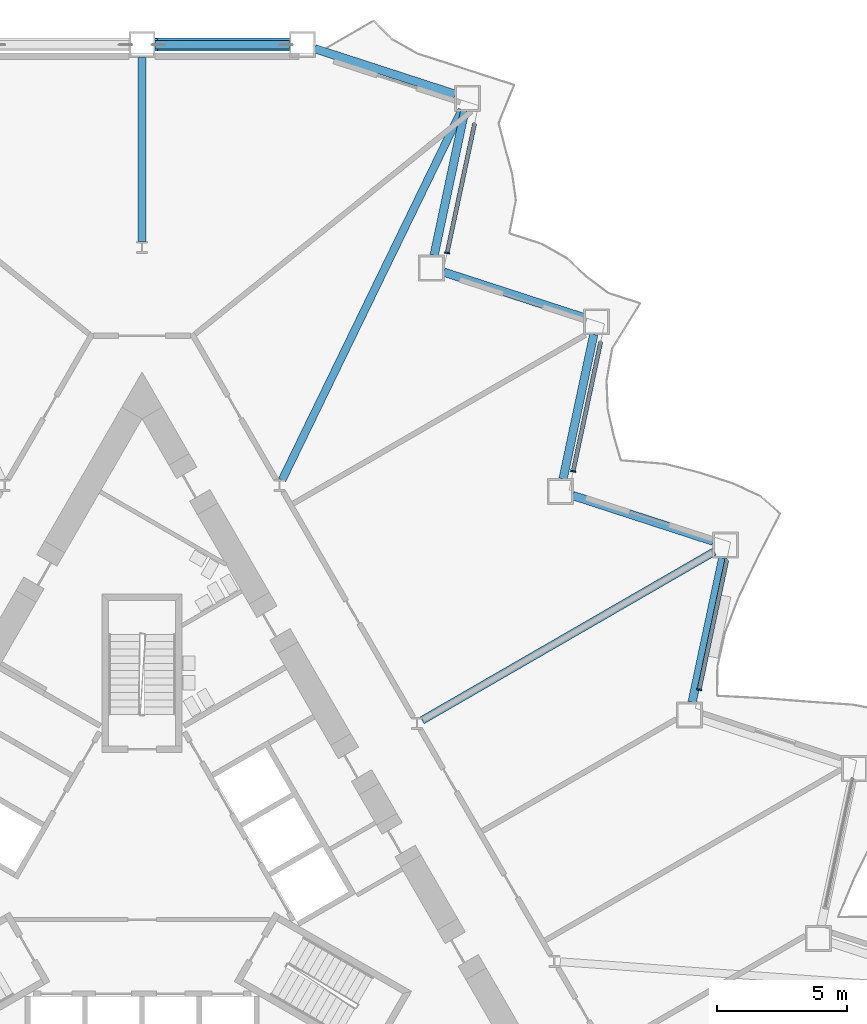
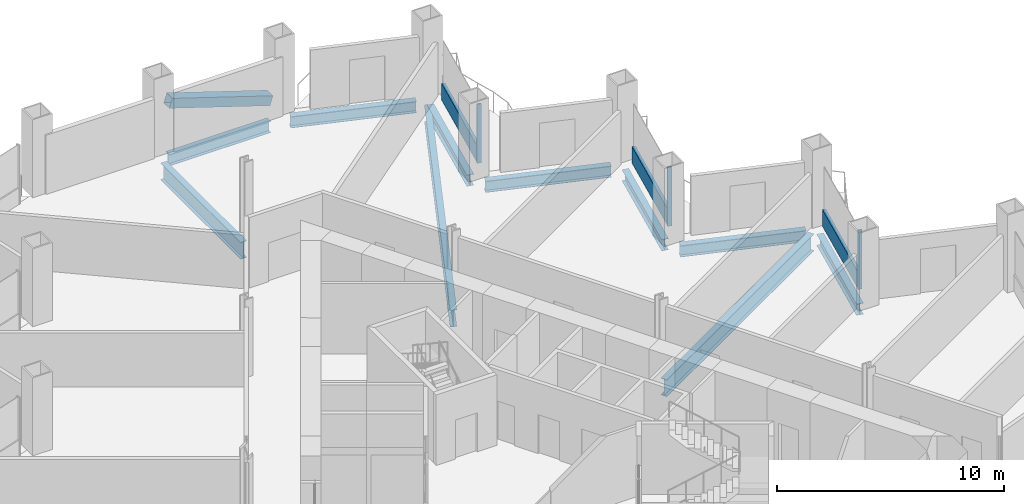
# One storey, part 7 of 21: 10 beams, 7 members, 3 elements without a shape of their own.
"""IFC4 building model written with IfcOpenShell, lengths in metres."""

from ifc_helpers import new_model, si_unit, direction, frame, origin, origin_2d, place, context, subcontext, project, spatial, rectangle, hollow_rectangle, i_section, extrude, material, layer, layer_set, material_profile, profile_set, type_object, element, aggregate, save


model = new_model("IFC4")

# Units and contexts
model_context = context("Model", 3, precision=1e-05, world=origin(), true_north=direction((0.0, 1.0)))
body_context = subcontext(model_context, "Body", "Model", "MODEL_VIEW")
ifc_project = project(units=[si_unit("LENGTHUNIT", "METRE"), si_unit("AREAUNIT", "SQUARE_METRE"), si_unit("VOLUMEUNIT", "CUBIC_METRE"), si_unit("PLANEANGLEUNIT", "RADIAN"), si_unit("MASSUNIT", "GRAM", prefix="KILO")], contexts=[model_context])

# Site, building, storey
site_placement = place(None, origin())
site = spatial("IfcSite", under=ifc_project, at=site_placement, CompositionType="ELEMENT")
building_placement = place(site_placement, origin())
building = spatial("IfcBuilding", under=site, at=building_placement, Name="Cormorant Prow Tower", CompositionType="ELEMENT")
storey_placement = place(building_placement, frame((0.0, 0.0, 51.0)))
storey = spatial("IfcBuildingStorey", under=building, at=storey_placement, Name="L10", CompositionType="ELEMENT", Elevation=51.0)

# Member
ifc_material_1 = material(Name="Structural steel ASTM A500 Gr C", Category="steel")
ifc_material_profile_1 = material_profile(ifc_material_1, hollow_rectangle(XDim=0.508056640625, YDim=0.508056640625, WallThickness=0.014892578125, at=origin_2d()), Name="HSS20x20x5/8")
ifc_profile_set_1 = profile_set([ifc_material_profile_1], Name="Structural steel ASTM A500 Gr C")
member_type_1 = type_object("IfcMemberType", Name="Chamfer brace HSS20x20x5/8", PredefinedType="BRACE", material=ifc_profile_set_1)
member_1_placement = place(storey_placement, frame((5.65087890625, 32.233642578125, 0.767333984375), z_axis=(-0.951774314198, 0.0, 0.306799046335), x_axis=(0.0, -1.0, 0.0)))
element("IfcMember", 1, at=member_1_placement, inside=storey, type_object=member_type_1, Name="Chamfer brace BR1 at N00 L10", PredefinedType="BRACE", context=body_context, shape_type="SweptSolid", body=[
    extrude(hollow_rectangle(XDim=0.508056640625, YDim=0.508056640625, WallThickness=0.014892578125, at=origin_2d()), origin(), (0.0, 0.0, 1.0), 5.39208984375),
])

# Curtain wall, member
ifc_material_2 = material(Name="Aluminium 6063-T6", Category="aluminium")
ifc_layer = layer(ifc_material_2, 0.199951171875)
ifc_layer_set = layer_set([ifc_layer], Name="Aluminium 6063-T6")
curtain_wall_type = type_object("IfcCurtainWallType", Name="Office unitised curtain wall 200", PredefinedType="NOTDEFINED", material=ifc_layer_set)
curtain_wall_1_placement = place(storey_placement, origin())
curtain_wall_1 = element("IfcCurtainWall", 2, at=curtain_wall_1_placement, inside=storey, type_object=curtain_wall_type, Name="Office curtain wall ENE04", PredefinedType="NOTDEFINED")
ifc_material_3 = material(Name="Aluminium 6063-T6", Category="aluminium")
ifc_material_profile_2 = material_profile(ifc_material_3, rectangle(XDim=0.199951171875, YDim=0.06005859375, at=origin_2d()), Name="Office mullion 60x200")
ifc_profile_set_2 = profile_set([ifc_material_profile_2], Name="Aluminium 6063-T6")
member_type_2 = type_object("IfcMemberType", Name="Office mullion 60x200", PredefinedType="MULLION", material=ifc_profile_set_2)
member_2_placement = place(storey_placement, frame((21.447021484375, 7.408203125, 0.0), z_axis=(0.0, 0.0, 1.0), x_axis=(-0.978147599834, 0.207911695052, 0.0)))
member_2 = element("IfcMember", 3, at=member_2_placement, type_object=member_type_2, Name="Office mullion ENE04", PredefinedType="MULLION", context=body_context, shape_type="SweptSolid", body=[
    extrude(rectangle(XDim=0.199951171875, YDim=0.06005859375, at=origin_2d()), origin(), (0.0, 0.0, 1.0), 3.18896484375),
])

curtain_wall_2_placement = place(storey_placement, origin())
curtain_wall_2 = element("IfcCurtainWall", 4, at=curtain_wall_2_placement, inside=storey, type_object=curtain_wall_type, Name="Office curtain wall ENE06", PredefinedType="NOTDEFINED")
member_3_placement = place(storey_placement, frame((16.594482421875, 15.813232421875, 0.0), z_axis=(0.0, 0.0, 1.0), x_axis=(-0.978147630979, 0.207911548524, 0.0)))
member_3 = element("IfcMember", 5, at=member_3_placement, type_object=member_type_2, Name="Office mullion ENE06", PredefinedType="MULLION", context=body_context, shape_type="SweptSolid", body=[
    extrude(rectangle(XDim=0.199951171875, YDim=0.06005859375, at=origin_2d()), origin(), (0.0, 0.0, 1.0), 3.18896484375),
])

curtain_wall_3_placement = place(storey_placement, origin())
curtain_wall_3 = element("IfcCurtainWall", 6, at=curtain_wall_3_placement, inside=storey, type_object=curtain_wall_type, Name="Office curtain wall ENE08", PredefinedType="NOTDEFINED")
member_4_placement = place(storey_placement, frame((11.74169921875, 24.21826171875, 0.0), z_axis=(0.0, 0.0, 1.0), x_axis=(-0.978147599834, 0.207911695052, 0.0)))
member_4 = element("IfcMember", 7, at=member_4_placement, type_object=member_type_2, Name="Office mullion ENE08", PredefinedType="MULLION", context=body_context, shape_type="SweptSolid", body=[
    extrude(rectangle(XDim=0.199951171875, YDim=0.06005859375, at=origin_2d()), origin(), (0.0, 0.0, 1.0), 3.18896484375),
])

# Member
ifc_material_4 = material(Name="Terracotta", Category="masonry")
ifc_material_profile_3 = material_profile(ifc_material_4, rectangle(XDim=0.159912109375, YDim=0.89990234375, at=origin_2d()), Name="Office terracotta spandrel rail 160x900")
ifc_profile_set_3 = profile_set([ifc_material_profile_3], Name="Terracotta")
member_type_3 = type_object("IfcMemberType", Name="Office terracotta spandrel rail 160x900", PredefinedType="USERDEFINED", material=ifc_profile_set_3)
member_5_placement = place(storey_placement, frame((21.453369140625, 7.4375, 0.449951171875), z_axis=(0.207895659842, 0.978151008086, 0.0), x_axis=(-0.978151008086, 0.207895659842, 0.0)))
member_5 = element("IfcMember", 8, at=member_5_placement, type_object=member_type_3, Name="Office spandrel rail ENE04", ObjectType="TRANSOM", PredefinedType="USERDEFINED", context=body_context, shape_type="SweptSolid", body=[
    extrude(rectangle(XDim=0.159912109375, YDim=0.89990234375, at=origin_2d()), origin(), (0.0, 0.0, 1.0), 5.063720703125),
])

aggregate(curtain_wall_1, [member_2, member_5])

member_6_placement = place(storey_placement, frame((16.6005859375, 15.842529296875, 0.449951171875), z_axis=(0.20794178862, 0.978141202764, 0.0), x_axis=(-0.978141202764, 0.20794178862, 0.0)))
member_6 = element("IfcMember", 9, at=member_6_placement, type_object=member_type_3, Name="Office spandrel rail ENE06", ObjectType="TRANSOM", PredefinedType="USERDEFINED", context=body_context, shape_type="SweptSolid", body=[
    extrude(rectangle(XDim=0.159912109375, YDim=0.89990234375, at=origin_2d()), origin(), (0.0, 0.0, 1.0), 5.063720703125),
])

aggregate(curtain_wall_2, [member_3, member_6])

member_7_placement = place(storey_placement, frame((11.748046875, 24.24755859375, 0.449951171875), z_axis=(0.207895659842, 0.978151008086, 0.0), x_axis=(-0.978151008086, 0.207895659842, 0.0)))
member_7 = element("IfcMember", 10, at=member_7_placement, type_object=member_type_3, Name="Office spandrel rail ENE08", ObjectType="TRANSOM", PredefinedType="USERDEFINED", context=body_context, shape_type="SweptSolid", body=[
    extrude(rectangle(XDim=0.159912109375, YDim=0.89990234375, at=origin_2d()), origin(), (0.0, 0.0, 1.0), 5.063720703125),
])

aggregate(curtain_wall_3, [member_4, member_7])

# Beams
ifc_material_5 = material(Name="Structural steel ASTM A992 Gr 50", Category="steel")
ifc_material_profile_4 = material_profile(ifc_material_5, i_section(OverallWidth=0.3046875, OverallDepth=0.914794921875, WebThickness=0.0166015625, FlangeThickness=0.02587890625, at=origin_2d()), Name="W36x160")
ifc_profile_set_4 = profile_set([ifc_material_profile_4], Name="Structural steel ASTM A992 Gr 50")
beam_type_1 = type_object("IfcBeamType", Name="Radial floor beam W36x160", PredefinedType="BEAM", material=ifc_profile_set_4)
beam_1_placement = place(storey_placement, frame((0.0, 24.662109375, -0.857421875), z_axis=(0.0, 1.0, 0.0), x_axis=(-1.0, 0.0, 0.0)))
element("IfcBeam", 11, at=beam_1_placement, inside=storey, type_object=beam_type_1, Name="Radial floor beam FB1 1 L10", PredefinedType="BEAM", context=body_context, shape_type="SweptSolid", body=[
    extrude(i_section(OverallWidth=0.3046875, OverallDepth=0.914794921875, WebThickness=0.0166015625, FlangeThickness=0.02587890625, at=origin_2d()), origin(), (0.0, 0.0, 1.0), 7.071533203125),
])
beam_2_placement = place(storey_placement, frame((10.779541015625, 6.2236328125, -0.857421875), z_axis=(0.866030278318, 0.499991556966, 0.0), x_axis=(-0.499991556966, 0.866030278318, 0.0)))
element("IfcBeam", 12, at=beam_2_placement, inside=storey, type_object=beam_type_1, Name="Radial floor beam FB1 11 L10", PredefinedType="BEAM", context=body_context, shape_type="SweptSolid", body=[
    extrude(i_section(OverallWidth=0.3046875, OverallDepth=0.914794921875, WebThickness=0.0166015625, FlangeThickness=0.02587890625, at=origin_2d()), origin(), (0.0, 0.0, 1.0), 12.984130859375),
])
beam_3_placement = place(storey_placement, frame((5.390625, 15.4775390625, -0.857421875), z_axis=(0.436839436813, 0.899539496879, 0.0), x_axis=(-0.899539496879, 0.436839436813, 0.0)))
element("IfcBeam", 13, at=beam_3_placement, inside=storey, type_object=beam_type_1, Name="Radial floor beam FB1 12 L10", PredefinedType="BEAM", context=body_context, shape_type="SweptSolid", body=[
    extrude(i_section(OverallWidth=0.3046875, OverallDepth=0.914794921875, WebThickness=0.0166015625, FlangeThickness=0.02587890625, at=origin_2d()), origin(), (0.0, 0.0, 1.0), 15.83203125),
])
ifc_material_6 = material(Name="Structural steel ASTM A992 Gr 50", Category="steel")
ifc_material_profile_5 = material_profile(ifc_material_6, i_section(OverallWidth=0.32373046875, OverallDepth=0.611083984375, WebThickness=0.0126953125, FlangeThickness=0.01904296875, at=origin_2d()), Name="W24x104")
ifc_profile_set_5 = profile_set([ifc_material_profile_5], Name="Structural steel ASTM A992 Gr 50")
beam_type_2 = type_object("IfcBeamType", Name="Spandrel beam W24x104", PredefinedType="SPANDREL", material=ifc_profile_set_5)
beam_4_placement = place(storey_placement, frame((21.171875, 6.918212890625, -0.70556640625), z_axis=(0.207900376723, 0.97815000555, 0.0), x_axis=(-0.97815000555, 0.207900376723, 0.0)))
element("IfcBeam", 14, at=beam_4_placement, inside=storey, type_object=beam_type_2, Name="Spandrel beam SB1 ENE04-ENE05 L10", PredefinedType="SPANDREL", context=body_context, shape_type="SweptSolid", body=[
    extrude(i_section(OverallWidth=0.32373046875, OverallDepth=0.611083984375, WebThickness=0.0126953125, FlangeThickness=0.01904296875, at=origin_2d()), origin(), (0.0, 0.0, 1.0), 5.6826171875),
])
beam_5_placement = place(storey_placement, frame((21.981689453125, 13.1201171875, -0.70556640625), z_axis=(-0.951049222751, 0.309039440696, 0.0), x_axis=(-0.309039440696, -0.951049222751, 0.0)))
element("IfcBeam", 15, at=beam_5_placement, inside=storey, type_object=beam_type_2, Name="Spandrel beam SB1 ENE05-ENE06 L10", PredefinedType="SPANDREL", context=body_context, shape_type="SweptSolid", body=[
    extrude(i_section(OverallWidth=0.32373046875, OverallDepth=0.611083984375, WebThickness=0.0126953125, FlangeThickness=0.01904296875, at=origin_2d()), origin(), (0.0, 0.0, 1.0), 5.682373046875),
])
beam_6_placement = place(storey_placement, frame((16.205810546875, 15.519775390625, -0.70556640625), z_axis=(0.207900376723, 0.97815000555, 0.0), x_axis=(-0.97815000555, 0.207900376723, 0.0)))
element("IfcBeam", 16, at=beam_6_placement, inside=storey, type_object=beam_type_2, Name="Spandrel beam SB1 ENE06-ENE07 L10", PredefinedType="SPANDREL", context=body_context, shape_type="SweptSolid", body=[
    extrude(i_section(OverallWidth=0.32373046875, OverallDepth=0.611083984375, WebThickness=0.0126953125, FlangeThickness=0.01904296875, at=origin_2d()), origin(), (0.0, 0.0, 1.0), 5.6826171875),
])
beam_7_placement = place(storey_placement, frame((17.015625, 21.7216796875, -0.70556640625), z_axis=(-0.951049222751, 0.309039440696, 0.0), x_axis=(-0.309039440696, -0.951049222751, 0.0)))
element("IfcBeam", 17, at=beam_7_placement, inside=storey, type_object=beam_type_2, Name="Spandrel beam SB1 ENE07-ENE08 L10", PredefinedType="SPANDREL", context=body_context, shape_type="SweptSolid", body=[
    extrude(i_section(OverallWidth=0.32373046875, OverallDepth=0.611083984375, WebThickness=0.0126953125, FlangeThickness=0.01904296875, at=origin_2d()), origin(), (0.0, 0.0, 1.0), 5.682373046875),
])
beam_8_placement = place(storey_placement, frame((11.23974609375, 24.121337890625, -0.70556640625), z_axis=(0.207900376723, 0.97815000555, 0.0), x_axis=(-0.97815000555, 0.207900376723, 0.0)))
element("IfcBeam", 18, at=beam_8_placement, inside=storey, type_object=beam_type_2, Name="Spandrel beam SB1 ENE08-ENE09 L10", PredefinedType="SPANDREL", context=body_context, shape_type="SweptSolid", body=[
    extrude(i_section(OverallWidth=0.32373046875, OverallDepth=0.611083984375, WebThickness=0.0126953125, FlangeThickness=0.01904296875, at=origin_2d()), origin(), (0.0, 0.0, 1.0), 5.6826171875),
])
beam_9_placement = place(storey_placement, frame((12.049560546875, 30.3232421875, -0.70556640625), z_axis=(-0.951061849722, 0.309000579292, 0.0), x_axis=(-0.309000579292, -0.951061849722, 0.0)))
element("IfcBeam", 19, at=beam_9_placement, inside=storey, type_object=beam_type_2, Name="Spandrel beam SB1 ENE09-N00 L10", PredefinedType="SPANDREL", context=body_context, shape_type="SweptSolid", body=[
    extrude(i_section(OverallWidth=0.32373046875, OverallDepth=0.611083984375, WebThickness=0.0126953125, FlangeThickness=0.01904296875, at=origin_2d()), origin(), (0.0, 0.0, 1.0), 5.682373046875),
])
beam_10_placement = place(storey_placement, frame((5.669677734375, 32.233642578125, -0.70556640625), z_axis=(-1.0, 0.0, 0.0), x_axis=(0.0, -1.0, 0.0)))
element("IfcBeam", 20, at=beam_10_placement, inside=storey, type_object=beam_type_2, Name="Spandrel beam SB1 N00-N01 L10", PredefinedType="SPANDREL", context=body_context, shape_type="SweptSolid", body=[
    extrude(i_section(OverallWidth=0.32373046875, OverallDepth=0.611083984375, WebThickness=0.0126953125, FlangeThickness=0.01904296875, at=origin_2d()), origin(), (0.0, 0.0, 1.0), 5.169677734375),
])

save(model, "model.ifc")
